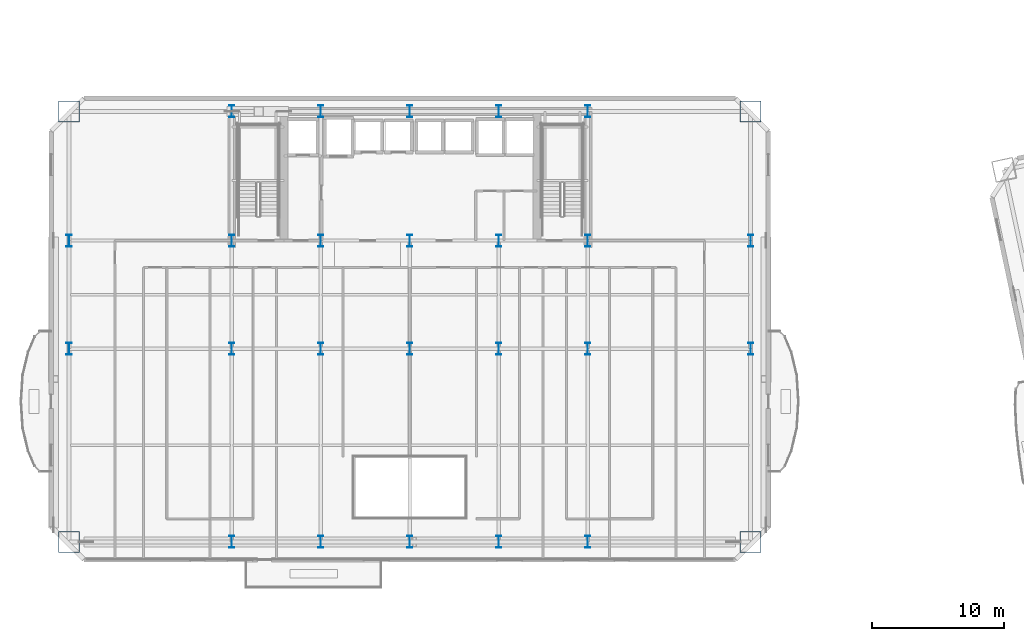
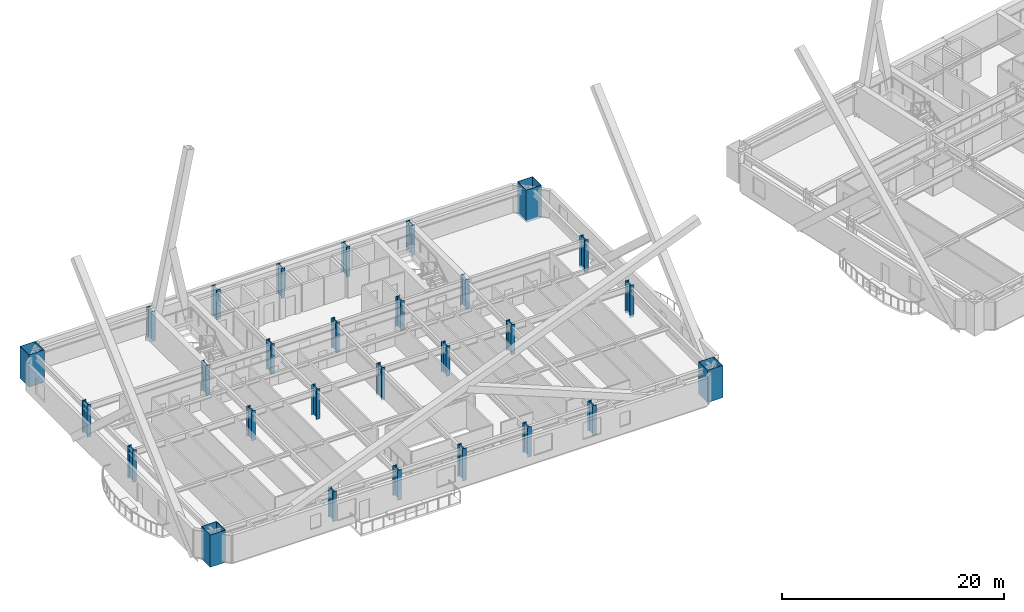
# One storey, part 1 of 20: 28 columns.
"""IFC4 building model written with IfcOpenShell, lengths in metres."""

import ifcopenshell
import ifcopenshell.guid

model = None  # the IFC model being written
_history = None  # IfcOwnerHistory: only IFC2X3 demands one
_inside = {}  # id of a spatial element -> (the spatial element, [elements in it])
_under = {}  # id of a project, library or spatial element -> (it, [spatial elements below it])
_declared = {}  # id of a project -> (the project, [libraries it declares])
_typed = {}  # id of a type object -> (the type object, [elements of that type])
_made_of = {}  # id of a material, layer set ... -> (it, [elements and type objects made of it])


def new_model(schema):
    """Start an empty IFC model of exactly this schema.

    Asked for "IFC4X3", IfcOpenShell would pick the latest addendum, in which some entities
    have other attributes; the version numbers below select the first issue.
    IFC2X3 requires an IfcOwnerHistory on every rooted entity: one is made here for all.
    """
    global model, _history
    if schema == "IFC4X3":
        model = ifcopenshell.file(schema_version=(4, 3, 0, 0))
    else:
        model = ifcopenshell.file(schema=schema)
    _inside.clear()
    _under.clear()
    _declared.clear()
    _typed.clear()
    _made_of.clear()
    _history = None
    if model.schema == "IFC2X3":
        org = make("IfcOrganization", Name="unknown")
        user = make(
            "IfcPersonAndOrganization",
            ThePerson=make("IfcPerson", FamilyName="unknown"),
            TheOrganization=org,
        )
        app = make(
            "IfcApplication",
            ApplicationDeveloper=org,
            Version="unknown",
            ApplicationFullName="unknown",
            ApplicationIdentifier="unknown",
        )
        _history = make(
            "IfcOwnerHistory",
            OwningUser=user,
            OwningApplication=app,
            ChangeAction="ADDED",
            CreationDate=0,
        )
    return model


def make(cls, **values):
    """One entity of the class cls with the attributes given. An attribute that is None is left unset."""
    return model.create_entity(
        cls, **{name: value for name, value in values.items() if value is not None}
    )


def rooted(cls, **values):
    """An entity with a GlobalId (a new one), such as an element, a storey or a relation."""
    return make(cls, GlobalId=ifcopenshell.guid.new(), OwnerHistory=_history, **values)


def si_unit(unit_type, name, prefix=None):
    """IfcSIUnit, for example si_unit("LENGTHUNIT", "METRE", prefix="MILLI")."""
    return make("IfcSIUnit", UnitType=unit_type, Prefix=prefix, Name=name)


def assignment(units):
    """IfcUnitAssignment: the units of a project."""
    return None if units is None else make("IfcUnitAssignment", Units=units)


def point(xyz):
    """IfcCartesianPoint."""
    return None if xyz is None else make("IfcCartesianPoint", Coordinates=xyz)


def direction(xyz):
    """IfcDirection."""
    return None if xyz is None else make("IfcDirection", DirectionRatios=xyz)


def frame(location, z_axis=None, x_axis=None):
    """IfcAxis2Placement3D, a coordinate frame: its origin and axes. An axis left out is left unset."""
    return make(
        "IfcAxis2Placement3D",
        Location=point(location),
        Axis=direction(z_axis),
        RefDirection=direction(x_axis),
    )


def frame_2d(location, x_axis=None):
    """IfcAxis2Placement2D, a coordinate frame in the plane: its origin and x axis."""
    return make(
        "IfcAxis2Placement2D", Location=point(location), RefDirection=direction(x_axis)
    )


def origin():
    """The frame at (0, 0, 0) with its axes left unset."""
    return frame((0.0, 0.0, 0.0))


def origin_2d():
    """The frame at (0, 0) in the plane with its x axis left unset."""
    return frame_2d((0.0, 0.0))


def place(relative_to, where):
    """IfcLocalPlacement: puts the frame where relative to a parent placement (None: the world)."""
    return make(
        "IfcLocalPlacement", PlacementRelTo=relative_to, RelativePlacement=where
    )


def context(
    kind, dimensions, precision=None, world=None, true_north=None, identifier=None
):
    """IfcGeometricRepresentationContext, for example the 3D "Model" context."""
    return make(
        "IfcGeometricRepresentationContext",
        ContextIdentifier=identifier,
        ContextType=kind,
        CoordinateSpaceDimension=dimensions,
        Precision=precision,
        WorldCoordinateSystem=world,
        TrueNorth=true_north,
    )


def subcontext(parent, identifier, kind, view, scale=None):
    """IfcGeometricRepresentationSubContext, for example "Body" below "Model"."""
    return make(
        "IfcGeometricRepresentationSubContext",
        ContextIdentifier=identifier,
        ContextType=kind,
        ParentContext=parent,
        TargetScale=scale,
        TargetView=view,
    )


def project(units=None, contexts=None):
    """IfcProject with its units and contexts."""
    return rooted(
        "IfcProject",
        Name="project",
        RepresentationContexts=contexts,
        UnitsInContext=assignment(units),
    )


def spatial(cls, under=None, at=None, **own):
    """A site, building, storey or space (cls), placed at a placement, below another one or the project."""
    s = rooted(cls, ObjectPlacement=at, **own)
    if under is not None:
        _under.setdefault(under.id(), (under, []))[1].append(s)
    return s


def profile(cls, at=None, kind="AREA", **sizes):
    """A parametric profile (cls). Its sizes go by their IFC names, for example OverallWidth=200.0."""
    return make(cls, ProfileType=kind, Position=at, **sizes)


def hollow_rectangle(**sizes):
    """IfcRectangleHollowProfileDef."""
    return profile("IfcRectangleHollowProfileDef", **sizes)


def i_section(**sizes):
    """IfcIShapeProfileDef."""
    return profile("IfcIShapeProfileDef", **sizes)


def extrude(swept, where, along, depth):
    """IfcExtrudedAreaSolid: the profile swept, set in the frame where, extruded along a direction by depth."""
    return make(
        "IfcExtrudedAreaSolid",
        SweptArea=swept,
        Position=where,
        ExtrudedDirection=direction(along),
        Depth=depth,
    )


def shape(context_of_items, identifier, shape_type, items):
    """IfcShapeRepresentation: the items that make up one representation, for example the "Body"."""
    return make(
        "IfcShapeRepresentation",
        ContextOfItems=context_of_items,
        RepresentationIdentifier=identifier,
        RepresentationType=shape_type,
        Items=items,
    )


def material(Name=None, Category=None):
    """IfcMaterial."""
    return make("IfcMaterial", Name=Name, Category=Category)


def material_profile(
    of_material, cross_section, Name=None, Category=None, Priority=None
):
    """IfcMaterialProfile: a cross section and its material."""
    return make(
        "IfcMaterialProfile",
        Name=Name,
        Material=of_material,
        Profile=cross_section,
        Priority=Priority,
        Category=Category,
    )


def profile_set(profiles, Name=None, composite=None):
    """IfcMaterialProfileSet."""
    return make(
        "IfcMaterialProfileSet",
        Name=Name,
        MaterialProfiles=profiles,
        CompositeProfile=composite,
    )


def made_of(thing, what):
    """Note that an element or type object is made of a material, layer set ...; save() writes the relation."""
    if what is not None:
        _made_of.setdefault(what.id(), (what, []))[1].append(thing)
    return thing


def type_object(cls, material=None, **own):
    """A type object (cls), such as IfcWallType, which elements share."""
    return made_of(rooted(cls, **own), material)


def element(
    cls,
    number,
    at=None,
    inside=None,
    cuts=None,
    type_object=None,
    material=None,
    context=None,
    identifier="Body",
    shape_type=None,
    held_by="IfcProductDefinitionShape",
    body=None,
    shapes=None,
    **own,
):
    """One element of the class cls, such as IfcWall. Its Tag is "e" and its number.

    at: its placement. inside: the storey or other place that contains it. cuts: it is an
    opening in that element (IfcRelVoidsElement). A single representation is given by context,
    identifier, shape_type and body (its items); several are given by shapes. held_by: the class
    of the entity that holds the representations. save() writes the other relations.
    """
    e = rooted(cls, Tag="e%d" % number, ObjectPlacement=at, **own)
    if body is not None:
        shapes = [shape(context, identifier, shape_type, body)]
    if shapes is not None:
        e.Representation = make(held_by, Representations=shapes)
    if inside is not None:
        _inside.setdefault(inside.id(), (inside, []))[1].append(e)
    if cuts is not None:
        rooted(
            "IfcRelVoidsElement", RelatingBuildingElement=cuts, RelatedOpeningElement=e
        )
    if type_object is not None:
        _typed.setdefault(type_object.id(), (type_object, []))[1].append(e)
    return made_of(e, material)


def aggregate(whole, parts):
    """IfcRelAggregates: a whole, such as a stair, and the parts it consists of."""
    return rooted("IfcRelAggregates", RelatingObject=whole, RelatedObjects=parts)


def save(model, path):
    """Write the relations noted so far, then the file.

    IfcRelAggregates (storeys below a building ...), IfcRelContainedInSpatialStructure (elements
    in a storey), IfcRelDefinesByType, IfcRelAssociatesMaterial and IfcRelDeclares: one each for
    every whole, place, type object, material and project.
    """
    for whole, parts in _under.values():
        aggregate(whole, parts)
    for where, things in _inside.values():
        rooted(
            "IfcRelContainedInSpatialStructure",
            RelatedElements=things,
            RelatingStructure=where,
        )
    for kind, things in _typed.values():
        rooted("IfcRelDefinesByType", RelatedObjects=things, RelatingType=kind)
    for what, things in _made_of.values():
        rooted("IfcRelAssociatesMaterial", RelatedObjects=things, RelatingMaterial=what)
    for by, libraries in _declared.values():
        rooted("IfcRelDeclares", RelatingContext=by, RelatedDefinitions=libraries)
    model.write(path)


model = new_model("IFC4")

# Units and contexts
model_context = context("Model", 3, precision=1e-05, world=origin(), true_north=direction((0.0, 1.0)))
body_context = subcontext(model_context, "Body", "Model", "MODEL_VIEW")
ifc_project = project(units=[si_unit("LENGTHUNIT", "METRE"), si_unit("AREAUNIT", "SQUARE_METRE"), si_unit("VOLUMEUNIT", "CUBIC_METRE"), si_unit("PLANEANGLEUNIT", "RADIAN"), si_unit("MASSUNIT", "GRAM", prefix="KILO")], contexts=[model_context])

# Site, building, storey
site_placement = place(None, origin())
site = spatial("IfcSite", under=ifc_project, at=site_placement, CompositionType="ELEMENT")
building_placement = place(site_placement, origin())
building = spatial("IfcBuilding", under=site, at=building_placement, Name="Haevon Station Towers", CompositionType="ELEMENT")
storey_placement = place(building_placement, frame((0.0, 0.0, 30.60009765625)))
storey = spatial("IfcBuildingStorey", under=building, at=storey_placement, Name="L06", CompositionType="ELEMENT", Elevation=30.60009765625)

# Columns
ifc_material = material(Name="Steel S460", Category="steel")
ifc_material_profile_1 = material_profile(ifc_material, hollow_rectangle(XDim=1.60009765625, YDim=1.60009765625, WallThickness=0.0400390625, at=origin_2d()), Name="BOX-1600x1600x40")
ifc_profile_set_1 = profile_set([ifc_material_profile_1], Name="Steel S460")
column_type_1 = type_object("IfcColumnType", Name="COL-MC1", PredefinedType="COLUMN", material=ifc_profile_set_1)
for number, where, z_axis, x_axis, name in (
    (1, (11.64990234375, 15.35009765625, -0.25), (0.0, 0.0, 1.0), (1.0, 0.0, 0.0), "COL-T1-L06-01-01"),
    (2, (11.64990234375, 48.0, -0.25), (0.0, 0.0, 1.0), (1.0, 0.0, 0.0), "COL-T1-L06-01-04"),
    (3, (63.35009765625, 15.35009765625, -0.25), (0.0, 0.0, 1.0), (1.0, 0.0, 0.0), "COL-T1-L06-07-01"),
    (4, (63.35009765625, 48.0, -0.25), (0.0, 0.0, 1.0), (1.0, 0.0, 0.0), "COL-T1-L06-07-04"),
):
    element("IfcColumn", number, at=place(storey_placement, frame(where, z_axis=z_axis, x_axis=x_axis)), inside=storey, type_object=column_type_1, Name=name, PredefinedType="COLUMN", context=body_context, shape_type="SweptSolid", body=[
        extrude(hollow_rectangle(XDim=1.60009765625, YDim=1.60009765625, WallThickness=0.0400390625, at=origin_2d()), origin(), (0.0, 0.0, 1.0), 3.5498046875),
    ])
ifc_material_profile_2 = material_profile(ifc_material, i_section(OverallWidth=0.39990234375, OverallDepth=0.89990234375, WebThickness=0.02001953125, FlangeThickness=0.035888671875, at=origin_2d()), Name="H-900x400x20x36")
ifc_profile_set_2 = profile_set([ifc_material_profile_2], Name="Steel S460")
column_type_2 = type_object("IfcColumnType", Name="COL-TW1", PredefinedType="COLUMN", material=ifc_profile_set_2)
for number, where, z_axis, x_axis, name in (
    (5, (11.64990234375, 30.0, -0.25), (0.0, 0.0, 1.0), (1.0, 0.0, 0.0), "COL-T1-L06-01-02"),
    (6, (11.64990234375, 38.199951171875, -0.25), (0.0, 0.0, 1.0), (1.0, 0.0, 0.0), "COL-T1-L06-01-03"),
):
    element("IfcColumn", number, at=place(storey_placement, frame(where, z_axis=z_axis, x_axis=x_axis)), inside=storey, type_object=column_type_2, Name=name, PredefinedType="COLUMN", context=body_context, shape_type="SweptSolid", body=[
        extrude(i_section(OverallWidth=0.39990234375, OverallDepth=0.89990234375, WebThickness=0.02001953125, FlangeThickness=0.035888671875, at=origin_2d()), origin(), (0.0, 0.0, 1.0), 3.5498046875),
    ])
for number, where, z_axis, x_axis, name in (
    (7, (24.0, 15.35009765625, 0.0), (0.0, 0.0, 1.0), (1.0, 0.0, 0.0), "COL-T1-L06-02-01"),
    (8, (24.0, 30.0, 0.0), (0.0, 0.0, 1.0), (1.0, 0.0, 0.0), "COL-T1-L06-02-02"),
    (9, (24.0, 38.199951171875, 0.0), (0.0, 0.0, 1.0), (1.0, 0.0, 0.0), "COL-T1-L06-02-03"),
    (10, (24.0, 48.0, 0.0), (0.0, 0.0, 1.0), (1.0, 0.0, 0.0), "COL-T1-L06-02-04"),
    (11, (30.75, 15.35009765625, 0.0), (0.0, 0.0, 1.0), (1.0, 0.0, 0.0), "COL-T1-L06-03-01"),
    (12, (30.75, 30.0, 0.0), (0.0, 0.0, 1.0), (1.0, 0.0, 0.0), "COL-T1-L06-03-02"),
    (13, (30.75, 38.199951171875, 0.0), (0.0, 0.0, 1.0), (1.0, 0.0, 0.0), "COL-T1-L06-03-03"),
    (14, (30.75, 48.0, 0.0), (0.0, 0.0, 1.0), (1.0, 0.0, 0.0), "COL-T1-L06-03-04"),
):
    element("IfcColumn", number, at=place(storey_placement, frame(where, z_axis=z_axis, x_axis=x_axis)), inside=storey, type_object=column_type_2, Name=name, PredefinedType="COLUMN", context=body_context, shape_type="SweptSolid", body=[
        extrude(i_section(OverallWidth=0.39990234375, OverallDepth=0.89990234375, WebThickness=0.02001953125, FlangeThickness=0.035888671875, at=origin_2d()), origin(), (0.0, 0.0, 1.0), 3.2998046875),
    ])
for number, where, z_axis, x_axis, name in (
    (15, (37.5, 15.35009765625, -0.25), (0.0, 0.0, 1.0), (1.0, 0.0, 0.0), "COL-T1-L06-04-01"),
    (16, (37.5, 30.0, -0.25), (0.0, 0.0, 1.0), (1.0, 0.0, 0.0), "COL-T1-L06-04-02"),
):
    element("IfcColumn", number, at=place(storey_placement, frame(where, z_axis=z_axis, x_axis=x_axis)), inside=storey, type_object=column_type_2, Name=name, PredefinedType="COLUMN", context=body_context, shape_type="SweptSolid", body=[
        extrude(i_section(OverallWidth=0.39990234375, OverallDepth=0.89990234375, WebThickness=0.02001953125, FlangeThickness=0.035888671875, at=origin_2d()), origin(), (0.0, 0.0, 1.0), 3.5498046875),
    ])
for number, where, z_axis, x_axis, name in (
    (17, (37.5, 38.199951171875, 0.0), (0.0, 0.0, 1.0), (1.0, 0.0, 0.0), "COL-T1-L06-04-03"),
    (18, (37.5, 48.0, 0.0), (0.0, 0.0, 1.0), (1.0, 0.0, 0.0), "COL-T1-L06-04-04"),
    (19, (44.25, 15.35009765625, 0.0), (0.0, 0.0, 1.0), (1.0, 0.0, 0.0), "COL-T1-L06-05-01"),
    (20, (44.25, 30.0, 0.0), (0.0, 0.0, 1.0), (1.0, 0.0, 0.0), "COL-T1-L06-05-02"),
    (21, (44.25, 38.199951171875, 0.0), (0.0, 0.0, 1.0), (1.0, 0.0, 0.0), "COL-T1-L06-05-03"),
    (22, (44.25, 48.0, 0.0), (0.0, 0.0, 1.0), (1.0, 0.0, 0.0), "COL-T1-L06-05-04"),
    (23, (51.0, 15.35009765625, 0.0), (0.0, 0.0, 1.0), (1.0, 0.0, 0.0), "COL-T1-L06-06-01"),
    (24, (51.0, 30.0, 0.0), (0.0, 0.0, 1.0), (1.0, 0.0, 0.0), "COL-T1-L06-06-02"),
    (25, (51.0, 38.199951171875, 0.0), (0.0, 0.0, 1.0), (1.0, 0.0, 0.0), "COL-T1-L06-06-03"),
    (26, (51.0, 48.0, 0.0), (0.0, 0.0, 1.0), (1.0, 0.0, 0.0), "COL-T1-L06-06-04"),
):
    element("IfcColumn", number, at=place(storey_placement, frame(where, z_axis=z_axis, x_axis=x_axis)), inside=storey, type_object=column_type_2, Name=name, PredefinedType="COLUMN", context=body_context, shape_type="SweptSolid", body=[
        extrude(i_section(OverallWidth=0.39990234375, OverallDepth=0.89990234375, WebThickness=0.02001953125, FlangeThickness=0.035888671875, at=origin_2d()), origin(), (0.0, 0.0, 1.0), 3.2998046875),
    ])
for number, where, z_axis, x_axis, name in (
    (27, (63.35009765625, 30.0, -0.25), (0.0, 0.0, 1.0), (1.0, 0.0, 0.0), "COL-T1-L06-07-02"),
    (28, (63.35009765625, 38.199951171875, -0.25), (0.0, 0.0, 1.0), (1.0, 0.0, 0.0), "COL-T1-L06-07-03"),
):
    element("IfcColumn", number, at=place(storey_placement, frame(where, z_axis=z_axis, x_axis=x_axis)), inside=storey, type_object=column_type_2, Name=name, PredefinedType="COLUMN", context=body_context, shape_type="SweptSolid", body=[
        extrude(i_section(OverallWidth=0.39990234375, OverallDepth=0.89990234375, WebThickness=0.02001953125, FlangeThickness=0.035888671875, at=origin_2d()), origin(), (0.0, 0.0, 1.0), 3.5498046875),
    ])

save(model, "model.ifc")
